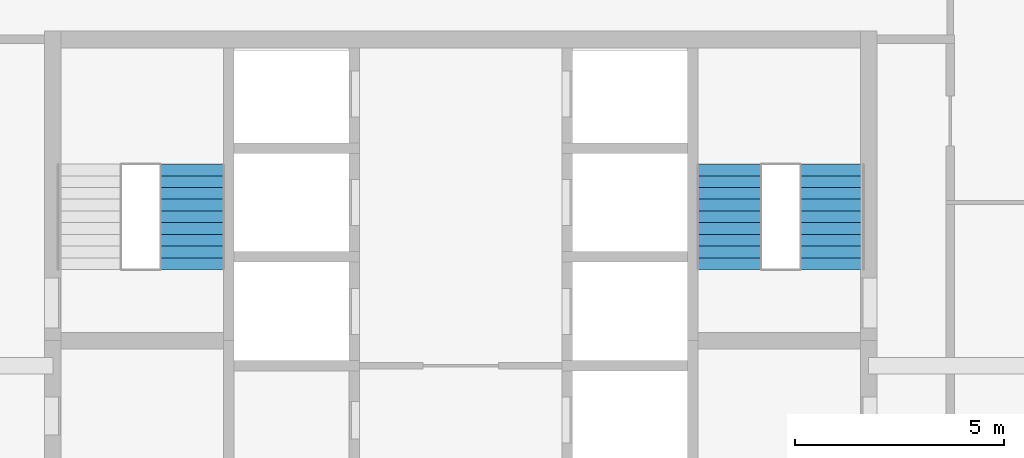
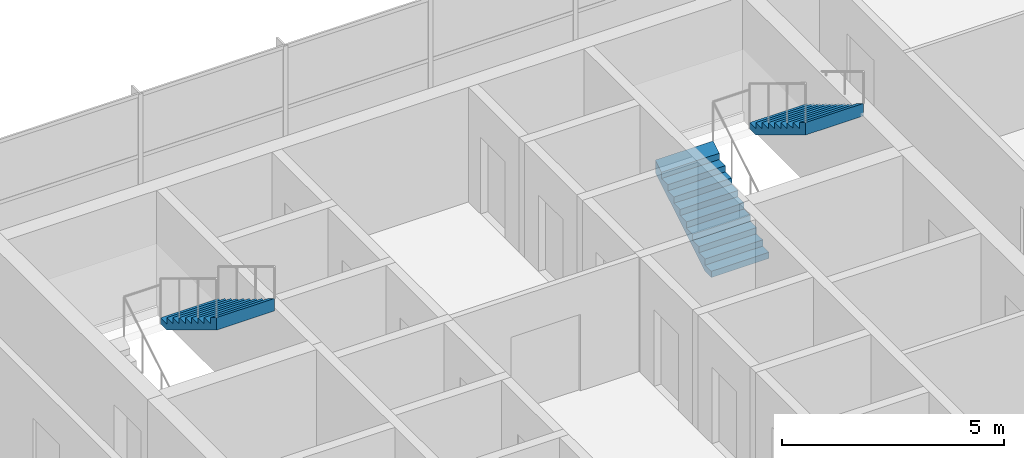
# One storey, part 18 of 22: 3 stair flights, 2 elements without a shape of their own.
"""IFC4 building model written with IfcOpenShell, lengths in metres."""

from ifc_helpers import new_model, si_unit, direction, frame, origin, place, context, subcontext, project, spatial, triangles, material, type_object, element, aggregate, save


model = new_model("IFC4")

# Units and contexts
model_context = context("Model", 3, precision=1e-05, world=origin(), true_north=direction((0.0, 1.0)))
body_context = subcontext(model_context, "Body", "Model", "MODEL_VIEW")
ifc_project = project(units=[si_unit("LENGTHUNIT", "METRE"), si_unit("AREAUNIT", "SQUARE_METRE"), si_unit("VOLUMEUNIT", "CUBIC_METRE"), si_unit("PLANEANGLEUNIT", "RADIAN"), si_unit("MASSUNIT", "GRAM", prefix="KILO")], contexts=[model_context])

# Site, building, storey
site_placement = place(None, origin())
site = spatial("IfcSite", under=ifc_project, at=site_placement, CompositionType="ELEMENT")
building_placement = place(site_placement, origin())
building = spatial("IfcBuilding", under=site, at=building_placement, Name="Ludao Terraces", CompositionType="ELEMENT")
storey_placement = place(building_placement, frame((0.0, 0.0, 200.699951171875)))
storey = spatial("IfcBuildingStorey", under=building, at=storey_placement, Name="L54", CompositionType="ELEMENT", Elevation=200.699951171875)

# Stair, stair flight
ifc_material = material(Name="Concrete C40", Category="concrete")
stair_type = type_object("IfcStairType", Name="INT Stair", PredefinedType="HALF_TURN_STAIR", material=ifc_material)
stair_1_placement = place(storey_placement, origin())
stair_1 = element("IfcStair", 1, at=stair_1_placement, inside=storey, type_object=stair_type, Name="EXIT STAIR 1", PredefinedType="HALF_TURN_STAIR")
stair_flight_type = type_object("IfcStairFlightType", Name="INT Stair flight", PredefinedType="STRAIGHT", material=ifc_material)
stair_flight_1_placement = place(storey_placement, frame((78.574951171875, 81.52001953125, 1.699951171875), z_axis=(0.0, 0.0, 1.0), x_axis=(0.0, -1.0, 0.0)))
stair_flight_1 = element("IfcStairFlight", 2, at=stair_flight_1_placement, type_object=stair_flight_type, Name="ST1 flight 2", NumberOfRisers=10, NumberOfTreads=9, PredefinedType="STRAIGHT", RiserHeight=0.17, TreadLength=0.28, context=body_context, shape_type="Tessellation", body=[
    triangles([(0.0, -0.75, 0.0), (0.0, -0.5, 0.0), (0.0, -0.25, 0.0), (0.0, 0.0, 0.0), (0.0, 0.25, 0.0), (0.0, 0.5, 0.0), (0.0, 0.75, 0.0), (0.0, -0.75, 0.169921875), (0.0, -0.5, 0.169921875), (0.0, -0.25, 0.169921875), (0.0, 0.0, 0.169921875), (0.0, 0.25, 0.169921875), (0.0, 0.5, 0.169921875), (0.0, 0.75, 0.169921875), (0.280029296875, -0.75, 0.169921875), (0.280029296875, -0.5, 0.169921875), (0.280029296875, -0.25, 0.169921875), (0.280029296875, 0.0, 0.169921875), (0.280029296875, 0.25, 0.169921875), (0.280029296875, 0.5, 0.169921875), (0.280029296875, 0.75, 0.169921875), (0.280029296875, -0.75, 0.340087890625), (0.280029296875, -0.5, 0.340087890625), (0.280029296875, -0.25, 0.340087890625), (0.280029296875, 0.0, 0.340087890625), (0.280029296875, 0.25, 0.340087890625), (0.280029296875, 0.5, 0.340087890625), (0.280029296875, 0.75, 0.340087890625), (0.56005859375, -0.75, 0.340087890625), (0.56005859375, -0.5, 0.340087890625), (0.56005859375, -0.25, 0.340087890625), (0.56005859375, 0.0, 0.340087890625), (0.56005859375, 0.25, 0.340087890625), (0.56005859375, 0.5, 0.340087890625), (0.56005859375, 0.75, 0.340087890625), (0.56005859375, -0.75, 0.510009765625), (0.56005859375, -0.5, 0.510009765625), (0.56005859375, -0.25, 0.510009765625), (0.56005859375, 0.0, 0.510009765625), (0.56005859375, 0.25, 0.510009765625), (0.56005859375, 0.5, 0.510009765625), (0.56005859375, 0.75, 0.510009765625), (0.840087890625, -0.75, 0.510009765625), (0.840087890625, -0.5, 0.510009765625), (0.840087890625, -0.25, 0.510009765625), (0.840087890625, 0.0, 0.510009765625), (0.840087890625, 0.25, 0.510009765625), (0.840087890625, 0.5, 0.510009765625), (0.840087890625, 0.75, 0.510009765625), (0.840087890625, -0.75, 0.679931640625), (0.840087890625, -0.5, 0.679931640625), (0.840087890625, -0.25, 0.679931640625), (0.840087890625, 0.0, 0.679931640625), (0.840087890625, 0.25, 0.679931640625), (0.840087890625, 0.5, 0.679931640625), (0.840087890625, 0.75, 0.679931640625), (1.1201171875, -0.75, 0.679931640625), (1.1201171875, -0.5, 0.679931640625), (1.1201171875, -0.25, 0.679931640625), (1.1201171875, 0.0, 0.679931640625), (1.1201171875, 0.25, 0.679931640625), (1.1201171875, 0.5, 0.679931640625), (1.1201171875, 0.75, 0.679931640625), (1.1201171875, -0.75, 0.85009765625), (1.1201171875, -0.5, 0.85009765625), (1.1201171875, -0.25, 0.85009765625), (1.1201171875, 0.0, 0.85009765625), (1.1201171875, 0.25, 0.85009765625), (1.1201171875, 0.5, 0.85009765625), (1.1201171875, 0.75, 0.85009765625), (1.39990234375, -0.75, 0.85009765625), (1.39990234375, -0.5, 0.85009765625), (1.39990234375, -0.25, 0.85009765625), (1.39990234375, 0.0, 0.85009765625), (1.39990234375, 0.25, 0.85009765625), (1.39990234375, 0.5, 0.85009765625), (1.39990234375, 0.75, 0.85009765625), (1.39990234375, -0.75, 1.02001953125), (1.39990234375, -0.5, 1.02001953125), (1.39990234375, -0.25, 1.02001953125), (1.39990234375, 0.0, 1.02001953125), (1.39990234375, 0.25, 1.02001953125), (1.39990234375, 0.5, 1.02001953125), (1.39990234375, 0.75, 1.02001953125), (1.679931640625, -0.75, 1.02001953125), (1.679931640625, -0.5, 1.02001953125), (1.679931640625, -0.25, 1.02001953125), (1.679931640625, 0.0, 1.02001953125), (1.679931640625, 0.25, 1.02001953125), (1.679931640625, 0.5, 1.02001953125), (1.679931640625, 0.75, 1.02001953125), (1.679931640625, -0.75, 1.18994140625), (1.679931640625, -0.5, 1.18994140625), (1.679931640625, -0.25, 1.18994140625), (1.679931640625, 0.0, 1.18994140625), (1.679931640625, 0.25, 1.18994140625), (1.679931640625, 0.5, 1.18994140625), (1.679931640625, 0.75, 1.18994140625), (1.9599609375, -0.75, 1.18994140625), (1.9599609375, -0.5, 1.18994140625), (1.9599609375, -0.25, 1.18994140625), (1.9599609375, 0.0, 1.18994140625), (1.9599609375, 0.25, 1.18994140625), (1.9599609375, 0.5, 1.18994140625), (1.9599609375, 0.75, 1.18994140625), (1.9599609375, -0.75, 1.360107421875), (1.9599609375, -0.5, 1.360107421875), (1.9599609375, -0.25, 1.360107421875), (1.9599609375, 0.0, 1.360107421875), (1.9599609375, 0.25, 1.360107421875), (1.9599609375, 0.5, 1.360107421875), (1.9599609375, 0.75, 1.360107421875), (2.239990234375, -0.75, 1.360107421875), (2.239990234375, -0.5, 1.360107421875), (2.239990234375, -0.25, 1.360107421875), (2.239990234375, 0.0, 1.360107421875), (2.239990234375, 0.25, 1.360107421875), (2.239990234375, 0.5, 1.360107421875), (2.239990234375, 0.75, 1.360107421875), (2.239990234375, -0.75, 1.530029296875), (2.239990234375, -0.5, 1.530029296875), (2.239990234375, -0.25, 1.530029296875), (2.239990234375, 0.0, 1.530029296875), (2.239990234375, 0.25, 1.530029296875), (2.239990234375, 0.5, 1.530029296875), (2.239990234375, 0.75, 1.530029296875), (2.52001953125, -0.75, 1.699951171875), (2.52001953125, -0.5, 1.699951171875), (2.52001953125, -0.25, 1.699951171875), (2.52001953125, 0.0, 1.699951171875), (2.52001953125, 0.25, 1.699951171875), (2.52001953125, 0.5, 1.699951171875), (2.52001953125, 0.75, 1.699951171875), (2.52001953125, -0.75, 1.354736328125), (2.52001953125, -0.5, 1.354736328125), (2.52001953125, -0.25, 1.354736328125), (2.52001953125, 0.0, 1.354736328125), (2.52001953125, 0.25, 1.354736328125), (2.52001953125, 0.5, 1.354736328125), (2.52001953125, 0.75, 1.354736328125), (0.288818359375, -0.75, 0.0), (0.288818359375, -0.5, 0.0), (0.288818359375, -0.25, 0.0), (0.288818359375, 0.0, 0.0), (0.288818359375, 0.25, 0.0), (0.288818359375, 0.5, 0.0), (0.288818359375, 0.75, 0.0)], [[1, 141, 134], [7, 140, 147], [134, 127, 120], [140, 126, 133], [134, 120, 113], [140, 119, 126], [134, 113, 106], [140, 112, 119], [134, 106, 99], [140, 105, 112], [99, 92, 85], [105, 91, 98], [134, 99, 85], [140, 91, 105], [85, 78, 71], [91, 77, 84], [134, 85, 71], [140, 77, 91], [71, 64, 57], [77, 63, 70], [134, 71, 57], [140, 63, 77], [57, 50, 43], [63, 49, 56], [134, 57, 43], [140, 49, 63], [43, 36, 29], [49, 35, 42], [134, 43, 29], [140, 35, 49], [29, 22, 15], [35, 21, 28], [134, 29, 15], [140, 21, 35], [1, 134, 15], [7, 21, 140], [15, 8, 1], [21, 7, 14], [1, 9, 2], [1, 8, 9], [2, 10, 3], [2, 9, 10], [3, 11, 4], [3, 10, 11], [4, 12, 5], [4, 11, 12], [5, 13, 6], [5, 12, 13], [6, 14, 7], [6, 13, 14], [8, 16, 9], [8, 15, 16], [9, 17, 10], [9, 16, 17], [10, 18, 11], [10, 17, 18], [11, 19, 12], [11, 18, 19], [12, 20, 13], [12, 19, 20], [13, 21, 14], [13, 20, 21], [15, 23, 16], [15, 22, 23], [16, 24, 17], [16, 23, 24], [17, 25, 18], [17, 24, 25], [18, 26, 19], [18, 25, 26], [19, 27, 20], [19, 26, 27], [20, 28, 21], [20, 27, 28], [22, 30, 23], [22, 29, 30], [23, 31, 24], [23, 30, 31], [24, 32, 25], [24, 31, 32], [25, 33, 26], [25, 32, 33], [26, 34, 27], [26, 33, 34], [27, 35, 28], [27, 34, 35], [29, 37, 30], [29, 36, 37], [30, 38, 31], [30, 37, 38], [31, 39, 32], [31, 38, 39], [32, 40, 33], [32, 39, 40], [33, 41, 34], [33, 40, 41], [34, 42, 35], [34, 41, 42], [36, 44, 37], [36, 43, 44], [37, 45, 38], [37, 44, 45], [38, 46, 39], [38, 45, 46], [39, 47, 40], [39, 46, 47], [40, 48, 41], [40, 47, 48], [41, 49, 42], [41, 48, 49], [43, 51, 44], [43, 50, 51], [44, 52, 45], [44, 51, 52], [45, 53, 46], [45, 52, 53], [46, 54, 47], [46, 53, 54], [47, 55, 48], [47, 54, 55], [48, 56, 49], [48, 55, 56], [50, 58, 51], [50, 57, 58], [51, 59, 52], [51, 58, 59], [52, 60, 53], [52, 59, 60], [53, 61, 54], [53, 60, 61], [54, 62, 55], [54, 61, 62], [55, 63, 56], [55, 62, 63], [57, 65, 58], [57, 64, 65], [58, 66, 59], [58, 65, 66], [59, 67, 60], [59, 66, 67], [60, 68, 61], [60, 67, 68], [61, 69, 62], [61, 68, 69], [62, 70, 63], [62, 69, 70], [64, 72, 65], [64, 71, 72], [65, 73, 66], [65, 72, 73], [66, 74, 67], [66, 73, 74], [67, 75, 68], [67, 74, 75], [68, 76, 69], [68, 75, 76], [69, 77, 70], [69, 76, 77], [71, 79, 72], [71, 78, 79], [72, 80, 73], [72, 79, 80], [73, 81, 74], [73, 80, 81], [74, 82, 75], [74, 81, 82], [75, 83, 76], [75, 82, 83], [76, 84, 77], [76, 83, 84], [78, 86, 79], [78, 85, 86], [79, 87, 80], [79, 86, 87], [80, 88, 81], [80, 87, 88], [81, 89, 82], [81, 88, 89], [82, 90, 83], [82, 89, 90], [83, 91, 84], [83, 90, 91], [85, 93, 86], [85, 92, 93], [86, 94, 87], [86, 93, 94], [87, 95, 88], [87, 94, 95], [88, 96, 89], [88, 95, 96], [89, 97, 90], [89, 96, 97], [90, 98, 91], [90, 97, 98], [92, 100, 93], [92, 99, 100], [93, 101, 94], [93, 100, 101], [94, 102, 95], [94, 101, 102], [95, 103, 96], [95, 102, 103], [96, 104, 97], [96, 103, 104], [97, 105, 98], [97, 104, 105], [99, 107, 100], [99, 106, 107], [100, 108, 101], [100, 107, 108], [101, 109, 102], [101, 108, 109], [102, 110, 103], [102, 109, 110], [103, 111, 104], [103, 110, 111], [104, 112, 105], [104, 111, 112], [106, 114, 107], [106, 113, 114], [107, 115, 108], [107, 114, 115], [108, 116, 109], [108, 115, 116], [109, 117, 110], [109, 116, 117], [110, 118, 111], [110, 117, 118], [111, 119, 112], [111, 118, 119], [113, 121, 114], [113, 120, 121], [114, 122, 115], [114, 121, 122], [115, 123, 116], [115, 122, 123], [116, 124, 117], [116, 123, 124], [117, 125, 118], [117, 124, 125], [118, 126, 119], [118, 125, 126], [120, 128, 121], [120, 127, 128], [121, 129, 122], [121, 128, 129], [122, 130, 123], [122, 129, 130], [123, 131, 124], [123, 130, 131], [124, 132, 125], [124, 131, 132], [125, 133, 126], [125, 132, 133], [127, 135, 128], [127, 134, 135], [128, 136, 129], [128, 135, 136], [129, 137, 130], [129, 136, 137], [130, 138, 131], [130, 137, 138], [131, 139, 132], [131, 138, 139], [132, 140, 133], [132, 139, 140], [134, 142, 135], [134, 141, 142], [135, 143, 136], [135, 142, 143], [136, 144, 137], [136, 143, 144], [137, 145, 138], [137, 144, 145], [138, 146, 139], [138, 145, 146], [139, 147, 140], [139, 146, 147], [141, 2, 142], [141, 1, 2], [142, 3, 143], [142, 2, 3], [143, 4, 144], [143, 3, 4], [144, 5, 145], [144, 4, 5], [145, 6, 146], [145, 5, 6], [146, 7, 147], [146, 6, 7]], closed=True),
])
aggregate(stair_1, [stair_flight_1])

# Stair, stair flights
stair_2_placement = place(storey_placement, origin())
stair_2 = element("IfcStair", 3, at=stair_2_placement, inside=storey, type_object=stair_type, Name="EXIT STAIR 2", PredefinedType="HALF_TURN_STAIR")
stair_flight_2_placement = place(storey_placement, frame((91.425048828125, 79.0, 0.0), z_axis=(0.0, 0.0, 1.0), x_axis=(0.0, 1.0, 0.0)))
stair_flight_2 = element("IfcStairFlight", 4, at=stair_flight_2_placement, type_object=stair_flight_type, Name="ST2 flight 1", NumberOfRisers=10, NumberOfTreads=9, PredefinedType="STRAIGHT", RiserHeight=0.17, TreadLength=0.28, context=body_context, shape_type="Tessellation", body=[
    triangles([(0.0, -0.75, 0.0), (0.0, -0.5, 0.0), (0.0, -0.25, 0.0), (0.0, 0.0, 0.0), (0.0, 0.25, 0.0), (0.0, 0.5, 0.0), (0.0, 0.75, 0.0), (0.0, -0.75, 0.169921875), (0.0, -0.5, 0.169921875), (0.0, -0.25, 0.169921875), (0.0, 0.0, 0.169921875), (0.0, 0.25, 0.169921875), (0.0, 0.5, 0.169921875), (0.0, 0.75, 0.169921875), (0.280029296875, -0.75, 0.169921875), (0.280029296875, -0.5, 0.169921875), (0.280029296875, -0.25, 0.169921875), (0.280029296875, 0.0, 0.169921875), (0.280029296875, 0.25, 0.169921875), (0.280029296875, 0.5, 0.169921875), (0.280029296875, 0.75, 0.169921875), (0.280029296875, -0.75, 0.340087890625), (0.280029296875, -0.5, 0.340087890625), (0.280029296875, -0.25, 0.340087890625), (0.280029296875, 0.0, 0.340087890625), (0.280029296875, 0.25, 0.340087890625), (0.280029296875, 0.5, 0.340087890625), (0.280029296875, 0.75, 0.340087890625), (0.56005859375, -0.75, 0.340087890625), (0.56005859375, -0.5, 0.340087890625), (0.56005859375, -0.25, 0.340087890625), (0.56005859375, 0.0, 0.340087890625), (0.56005859375, 0.25, 0.340087890625), (0.56005859375, 0.5, 0.340087890625), (0.56005859375, 0.75, 0.340087890625), (0.56005859375, -0.75, 0.510009765625), (0.56005859375, -0.5, 0.510009765625), (0.56005859375, -0.25, 0.510009765625), (0.56005859375, 0.0, 0.510009765625), (0.56005859375, 0.25, 0.510009765625), (0.56005859375, 0.5, 0.510009765625), (0.56005859375, 0.75, 0.510009765625), (0.840087890625, -0.75, 0.510009765625), (0.840087890625, -0.5, 0.510009765625), (0.840087890625, -0.25, 0.510009765625), (0.840087890625, 0.0, 0.510009765625), (0.840087890625, 0.25, 0.510009765625), (0.840087890625, 0.5, 0.510009765625), (0.840087890625, 0.75, 0.510009765625), (0.840087890625, -0.75, 0.679931640625), (0.840087890625, -0.5, 0.679931640625), (0.840087890625, -0.25, 0.679931640625), (0.840087890625, 0.0, 0.679931640625), (0.840087890625, 0.25, 0.679931640625), (0.840087890625, 0.5, 0.679931640625), (0.840087890625, 0.75, 0.679931640625), (1.1201171875, -0.75, 0.679931640625), (1.1201171875, -0.5, 0.679931640625), (1.1201171875, -0.25, 0.679931640625), (1.1201171875, 0.0, 0.679931640625), (1.1201171875, 0.25, 0.679931640625), (1.1201171875, 0.5, 0.679931640625), (1.1201171875, 0.75, 0.679931640625), (1.1201171875, -0.75, 0.85009765625), (1.1201171875, -0.5, 0.85009765625), (1.1201171875, -0.25, 0.85009765625), (1.1201171875, 0.0, 0.85009765625), (1.1201171875, 0.25, 0.85009765625), (1.1201171875, 0.5, 0.85009765625), (1.1201171875, 0.75, 0.85009765625), (1.39990234375, -0.75, 0.85009765625), (1.39990234375, -0.5, 0.85009765625), (1.39990234375, -0.25, 0.85009765625), (1.39990234375, 0.0, 0.85009765625), (1.39990234375, 0.25, 0.85009765625), (1.39990234375, 0.5, 0.85009765625), (1.39990234375, 0.75, 0.85009765625), (1.39990234375, -0.75, 1.02001953125), (1.39990234375, -0.5, 1.02001953125), (1.39990234375, -0.25, 1.02001953125), (1.39990234375, 0.0, 1.02001953125), (1.39990234375, 0.25, 1.02001953125), (1.39990234375, 0.5, 1.02001953125), (1.39990234375, 0.75, 1.02001953125), (1.679931640625, -0.75, 1.02001953125), (1.679931640625, -0.5, 1.02001953125), (1.679931640625, -0.25, 1.02001953125), (1.679931640625, 0.0, 1.02001953125), (1.679931640625, 0.25, 1.02001953125), (1.679931640625, 0.5, 1.02001953125), (1.679931640625, 0.75, 1.02001953125), (1.679931640625, -0.75, 1.18994140625), (1.679931640625, -0.5, 1.18994140625), (1.679931640625, -0.25, 1.18994140625), (1.679931640625, 0.0, 1.18994140625), (1.679931640625, 0.25, 1.18994140625), (1.679931640625, 0.5, 1.18994140625), (1.679931640625, 0.75, 1.18994140625), (1.9599609375, -0.75, 1.18994140625), (1.9599609375, -0.5, 1.18994140625), (1.9599609375, -0.25, 1.18994140625), (1.9599609375, 0.0, 1.18994140625), (1.9599609375, 0.25, 1.18994140625), (1.9599609375, 0.5, 1.18994140625), (1.9599609375, 0.75, 1.18994140625), (1.9599609375, -0.75, 1.360107421875), (1.9599609375, -0.5, 1.360107421875), (1.9599609375, -0.25, 1.360107421875), (1.9599609375, 0.0, 1.360107421875), (1.9599609375, 0.25, 1.360107421875), (1.9599609375, 0.5, 1.360107421875), (1.9599609375, 0.75, 1.360107421875), (2.239990234375, -0.75, 1.360107421875), (2.239990234375, -0.5, 1.360107421875), (2.239990234375, -0.25, 1.360107421875), (2.239990234375, 0.0, 1.360107421875), (2.239990234375, 0.25, 1.360107421875), (2.239990234375, 0.5, 1.360107421875), (2.239990234375, 0.75, 1.360107421875), (2.239990234375, -0.75, 1.530029296875), (2.239990234375, -0.5, 1.530029296875), (2.239990234375, -0.25, 1.530029296875), (2.239990234375, 0.0, 1.530029296875), (2.239990234375, 0.25, 1.530029296875), (2.239990234375, 0.5, 1.530029296875), (2.239990234375, 0.75, 1.530029296875), (2.52001953125, -0.75, 1.699951171875), (2.52001953125, -0.5, 1.699951171875), (2.52001953125, -0.25, 1.699951171875), (2.52001953125, 0.0, 1.699951171875), (2.52001953125, 0.25, 1.699951171875), (2.52001953125, 0.5, 1.699951171875), (2.52001953125, 0.75, 1.699951171875), (2.52001953125, -0.75, 1.354736328125), (2.52001953125, -0.5, 1.354736328125), (2.52001953125, -0.25, 1.354736328125), (2.52001953125, 0.0, 1.354736328125), (2.52001953125, 0.25, 1.354736328125), (2.52001953125, 0.5, 1.354736328125), (2.52001953125, 0.75, 1.354736328125), (0.288818359375, -0.75, 0.0), (0.288818359375, -0.5, 0.0), (0.288818359375, -0.25, 0.0), (0.288818359375, 0.0, 0.0), (0.288818359375, 0.25, 0.0), (0.288818359375, 0.5, 0.0), (0.288818359375, 0.75, 0.0)], [[1, 141, 134], [7, 140, 147], [134, 127, 120], [140, 126, 133], [134, 120, 113], [140, 119, 126], [134, 113, 106], [140, 112, 119], [134, 106, 99], [140, 105, 112], [99, 92, 85], [105, 91, 98], [134, 99, 85], [140, 91, 105], [85, 78, 71], [91, 77, 84], [134, 85, 71], [140, 77, 91], [71, 64, 57], [77, 63, 70], [134, 71, 57], [140, 63, 77], [57, 50, 43], [63, 49, 56], [134, 57, 43], [140, 49, 63], [43, 36, 29], [49, 35, 42], [134, 43, 29], [140, 35, 49], [29, 22, 15], [35, 21, 28], [134, 29, 15], [140, 21, 35], [1, 134, 15], [7, 21, 140], [15, 8, 1], [21, 7, 14], [1, 9, 2], [1, 8, 9], [2, 10, 3], [2, 9, 10], [3, 11, 4], [3, 10, 11], [4, 12, 5], [4, 11, 12], [5, 13, 6], [5, 12, 13], [6, 14, 7], [6, 13, 14], [8, 16, 9], [8, 15, 16], [9, 17, 10], [9, 16, 17], [10, 18, 11], [10, 17, 18], [11, 19, 12], [11, 18, 19], [12, 20, 13], [12, 19, 20], [13, 21, 14], [13, 20, 21], [15, 23, 16], [15, 22, 23], [16, 24, 17], [16, 23, 24], [17, 25, 18], [17, 24, 25], [18, 26, 19], [18, 25, 26], [19, 27, 20], [19, 26, 27], [20, 28, 21], [20, 27, 28], [22, 30, 23], [22, 29, 30], [23, 31, 24], [23, 30, 31], [24, 32, 25], [24, 31, 32], [25, 33, 26], [25, 32, 33], [26, 34, 27], [26, 33, 34], [27, 35, 28], [27, 34, 35], [29, 37, 30], [29, 36, 37], [30, 38, 31], [30, 37, 38], [31, 39, 32], [31, 38, 39], [32, 40, 33], [32, 39, 40], [33, 41, 34], [33, 40, 41], [34, 42, 35], [34, 41, 42], [36, 44, 37], [36, 43, 44], [37, 45, 38], [37, 44, 45], [38, 46, 39], [38, 45, 46], [39, 47, 40], [39, 46, 47], [40, 48, 41], [40, 47, 48], [41, 49, 42], [41, 48, 49], [43, 51, 44], [43, 50, 51], [44, 52, 45], [44, 51, 52], [45, 53, 46], [45, 52, 53], [46, 54, 47], [46, 53, 54], [47, 55, 48], [47, 54, 55], [48, 56, 49], [48, 55, 56], [50, 58, 51], [50, 57, 58], [51, 59, 52], [51, 58, 59], [52, 60, 53], [52, 59, 60], [53, 61, 54], [53, 60, 61], [54, 62, 55], [54, 61, 62], [55, 63, 56], [55, 62, 63], [57, 65, 58], [57, 64, 65], [58, 66, 59], [58, 65, 66], [59, 67, 60], [59, 66, 67], [60, 68, 61], [60, 67, 68], [61, 69, 62], [61, 68, 69], [62, 70, 63], [62, 69, 70], [64, 72, 65], [64, 71, 72], [65, 73, 66], [65, 72, 73], [66, 74, 67], [66, 73, 74], [67, 75, 68], [67, 74, 75], [68, 76, 69], [68, 75, 76], [69, 77, 70], [69, 76, 77], [71, 79, 72], [71, 78, 79], [72, 80, 73], [72, 79, 80], [73, 81, 74], [73, 80, 81], [74, 82, 75], [74, 81, 82], [75, 83, 76], [75, 82, 83], [76, 84, 77], [76, 83, 84], [78, 86, 79], [78, 85, 86], [79, 87, 80], [79, 86, 87], [80, 88, 81], [80, 87, 88], [81, 89, 82], [81, 88, 89], [82, 90, 83], [82, 89, 90], [83, 91, 84], [83, 90, 91], [85, 93, 86], [85, 92, 93], [86, 94, 87], [86, 93, 94], [87, 95, 88], [87, 94, 95], [88, 96, 89], [88, 95, 96], [89, 97, 90], [89, 96, 97], [90, 98, 91], [90, 97, 98], [92, 100, 93], [92, 99, 100], [93, 101, 94], [93, 100, 101], [94, 102, 95], [94, 101, 102], [95, 103, 96], [95, 102, 103], [96, 104, 97], [96, 103, 104], [97, 105, 98], [97, 104, 105], [99, 107, 100], [99, 106, 107], [100, 108, 101], [100, 107, 108], [101, 109, 102], [101, 108, 109], [102, 110, 103], [102, 109, 110], [103, 111, 104], [103, 110, 111], [104, 112, 105], [104, 111, 112], [106, 114, 107], [106, 113, 114], [107, 115, 108], [107, 114, 115], [108, 116, 109], [108, 115, 116], [109, 117, 110], [109, 116, 117], [110, 118, 111], [110, 117, 118], [111, 119, 112], [111, 118, 119], [113, 121, 114], [113, 120, 121], [114, 122, 115], [114, 121, 122], [115, 123, 116], [115, 122, 123], [116, 124, 117], [116, 123, 124], [117, 125, 118], [117, 124, 125], [118, 126, 119], [118, 125, 126], [120, 128, 121], [120, 127, 128], [121, 129, 122], [121, 128, 129], [122, 130, 123], [122, 129, 130], [123, 131, 124], [123, 130, 131], [124, 132, 125], [124, 131, 132], [125, 133, 126], [125, 132, 133], [127, 135, 128], [127, 134, 135], [128, 136, 129], [128, 135, 136], [129, 137, 130], [129, 136, 137], [130, 138, 131], [130, 137, 138], [131, 139, 132], [131, 138, 139], [132, 140, 133], [132, 139, 140], [134, 142, 135], [134, 141, 142], [135, 143, 136], [135, 142, 143], [136, 144, 137], [136, 143, 144], [137, 145, 138], [137, 144, 145], [138, 146, 139], [138, 145, 146], [139, 147, 140], [139, 146, 147], [141, 2, 142], [141, 1, 2], [142, 3, 143], [142, 2, 3], [143, 4, 144], [143, 3, 4], [144, 5, 145], [144, 4, 5], [145, 6, 146], [145, 5, 6], [146, 7, 147], [146, 6, 7]], closed=True),
])
stair_flight_3_placement = place(storey_placement, frame((93.875, 81.52001953125, 1.699951171875), z_axis=(0.0, 0.0, 1.0), x_axis=(0.0, -1.0, 0.0)))
stair_flight_3 = element("IfcStairFlight", 5, at=stair_flight_3_placement, type_object=stair_flight_type, Name="ST2 flight 2", NumberOfRisers=10, NumberOfTreads=9, PredefinedType="STRAIGHT", RiserHeight=0.17, TreadLength=0.28, context=body_context, shape_type="Tessellation", body=[
    triangles([(0.0, -0.75, 0.0), (0.0, -0.5, 0.0), (0.0, -0.25, 0.0), (0.0, 0.0, 0.0), (0.0, 0.25, 0.0), (0.0, 0.5, 0.0), (0.0, 0.75, 0.0), (0.0, -0.75, 0.169921875), (0.0, -0.5, 0.169921875), (0.0, -0.25, 0.169921875), (0.0, 0.0, 0.169921875), (0.0, 0.25, 0.169921875), (0.0, 0.5, 0.169921875), (0.0, 0.75, 0.169921875), (0.280029296875, -0.75, 0.169921875), (0.280029296875, -0.5, 0.169921875), (0.280029296875, -0.25, 0.169921875), (0.280029296875, 0.0, 0.169921875), (0.280029296875, 0.25, 0.169921875), (0.280029296875, 0.5, 0.169921875), (0.280029296875, 0.75, 0.169921875), (0.280029296875, -0.75, 0.340087890625), (0.280029296875, -0.5, 0.340087890625), (0.280029296875, -0.25, 0.340087890625), (0.280029296875, 0.0, 0.340087890625), (0.280029296875, 0.25, 0.340087890625), (0.280029296875, 0.5, 0.340087890625), (0.280029296875, 0.75, 0.340087890625), (0.56005859375, -0.75, 0.340087890625), (0.56005859375, -0.5, 0.340087890625), (0.56005859375, -0.25, 0.340087890625), (0.56005859375, 0.0, 0.340087890625), (0.56005859375, 0.25, 0.340087890625), (0.56005859375, 0.5, 0.340087890625), (0.56005859375, 0.75, 0.340087890625), (0.56005859375, -0.75, 0.510009765625), (0.56005859375, -0.5, 0.510009765625), (0.56005859375, -0.25, 0.510009765625), (0.56005859375, 0.0, 0.510009765625), (0.56005859375, 0.25, 0.510009765625), (0.56005859375, 0.5, 0.510009765625), (0.56005859375, 0.75, 0.510009765625), (0.840087890625, -0.75, 0.510009765625), (0.840087890625, -0.5, 0.510009765625), (0.840087890625, -0.25, 0.510009765625), (0.840087890625, 0.0, 0.510009765625), (0.840087890625, 0.25, 0.510009765625), (0.840087890625, 0.5, 0.510009765625), (0.840087890625, 0.75, 0.510009765625), (0.840087890625, -0.75, 0.679931640625), (0.840087890625, -0.5, 0.679931640625), (0.840087890625, -0.25, 0.679931640625), (0.840087890625, 0.0, 0.679931640625), (0.840087890625, 0.25, 0.679931640625), (0.840087890625, 0.5, 0.679931640625), (0.840087890625, 0.75, 0.679931640625), (1.1201171875, -0.75, 0.679931640625), (1.1201171875, -0.5, 0.679931640625), (1.1201171875, -0.25, 0.679931640625), (1.1201171875, 0.0, 0.679931640625), (1.1201171875, 0.25, 0.679931640625), (1.1201171875, 0.5, 0.679931640625), (1.1201171875, 0.75, 0.679931640625), (1.1201171875, -0.75, 0.85009765625), (1.1201171875, -0.5, 0.85009765625), (1.1201171875, -0.25, 0.85009765625), (1.1201171875, 0.0, 0.85009765625), (1.1201171875, 0.25, 0.85009765625), (1.1201171875, 0.5, 0.85009765625), (1.1201171875, 0.75, 0.85009765625), (1.39990234375, -0.75, 0.85009765625), (1.39990234375, -0.5, 0.85009765625), (1.39990234375, -0.25, 0.85009765625), (1.39990234375, 0.0, 0.85009765625), (1.39990234375, 0.25, 0.85009765625), (1.39990234375, 0.5, 0.85009765625), (1.39990234375, 0.75, 0.85009765625), (1.39990234375, -0.75, 1.02001953125), (1.39990234375, -0.5, 1.02001953125), (1.39990234375, -0.25, 1.02001953125), (1.39990234375, 0.0, 1.02001953125), (1.39990234375, 0.25, 1.02001953125), (1.39990234375, 0.5, 1.02001953125), (1.39990234375, 0.75, 1.02001953125), (1.679931640625, -0.75, 1.02001953125), (1.679931640625, -0.5, 1.02001953125), (1.679931640625, -0.25, 1.02001953125), (1.679931640625, 0.0, 1.02001953125), (1.679931640625, 0.25, 1.02001953125), (1.679931640625, 0.5, 1.02001953125), (1.679931640625, 0.75, 1.02001953125), (1.679931640625, -0.75, 1.18994140625), (1.679931640625, -0.5, 1.18994140625), (1.679931640625, -0.25, 1.18994140625), (1.679931640625, 0.0, 1.18994140625), (1.679931640625, 0.25, 1.18994140625), (1.679931640625, 0.5, 1.18994140625), (1.679931640625, 0.75, 1.18994140625), (1.9599609375, -0.75, 1.18994140625), (1.9599609375, -0.5, 1.18994140625), (1.9599609375, -0.25, 1.18994140625), (1.9599609375, 0.0, 1.18994140625), (1.9599609375, 0.25, 1.18994140625), (1.9599609375, 0.5, 1.18994140625), (1.9599609375, 0.75, 1.18994140625), (1.9599609375, -0.75, 1.360107421875), (1.9599609375, -0.5, 1.360107421875), (1.9599609375, -0.25, 1.360107421875), (1.9599609375, 0.0, 1.360107421875), (1.9599609375, 0.25, 1.360107421875), (1.9599609375, 0.5, 1.360107421875), (1.9599609375, 0.75, 1.360107421875), (2.239990234375, -0.75, 1.360107421875), (2.239990234375, -0.5, 1.360107421875), (2.239990234375, -0.25, 1.360107421875), (2.239990234375, 0.0, 1.360107421875), (2.239990234375, 0.25, 1.360107421875), (2.239990234375, 0.5, 1.360107421875), (2.239990234375, 0.75, 1.360107421875), (2.239990234375, -0.75, 1.530029296875), (2.239990234375, -0.5, 1.530029296875), (2.239990234375, -0.25, 1.530029296875), (2.239990234375, 0.0, 1.530029296875), (2.239990234375, 0.25, 1.530029296875), (2.239990234375, 0.5, 1.530029296875), (2.239990234375, 0.75, 1.530029296875), (2.52001953125, -0.75, 1.699951171875), (2.52001953125, -0.5, 1.699951171875), (2.52001953125, -0.25, 1.699951171875), (2.52001953125, 0.0, 1.699951171875), (2.52001953125, 0.25, 1.699951171875), (2.52001953125, 0.5, 1.699951171875), (2.52001953125, 0.75, 1.699951171875), (2.52001953125, -0.75, 1.354736328125), (2.52001953125, -0.5, 1.354736328125), (2.52001953125, -0.25, 1.354736328125), (2.52001953125, 0.0, 1.354736328125), (2.52001953125, 0.25, 1.354736328125), (2.52001953125, 0.5, 1.354736328125), (2.52001953125, 0.75, 1.354736328125), (0.288818359375, -0.75, 0.0), (0.288818359375, -0.5, 0.0), (0.288818359375, -0.25, 0.0), (0.288818359375, 0.0, 0.0), (0.288818359375, 0.25, 0.0), (0.288818359375, 0.5, 0.0), (0.288818359375, 0.75, 0.0)], [[1, 141, 134], [7, 140, 147], [134, 127, 120], [140, 126, 133], [134, 120, 113], [140, 119, 126], [134, 113, 106], [140, 112, 119], [134, 106, 99], [140, 105, 112], [99, 92, 85], [105, 91, 98], [134, 99, 85], [140, 91, 105], [85, 78, 71], [91, 77, 84], [134, 85, 71], [140, 77, 91], [71, 64, 57], [77, 63, 70], [134, 71, 57], [140, 63, 77], [57, 50, 43], [63, 49, 56], [134, 57, 43], [140, 49, 63], [43, 36, 29], [49, 35, 42], [134, 43, 29], [140, 35, 49], [29, 22, 15], [35, 21, 28], [134, 29, 15], [140, 21, 35], [1, 134, 15], [7, 21, 140], [15, 8, 1], [21, 7, 14], [1, 9, 2], [1, 8, 9], [2, 10, 3], [2, 9, 10], [3, 11, 4], [3, 10, 11], [4, 12, 5], [4, 11, 12], [5, 13, 6], [5, 12, 13], [6, 14, 7], [6, 13, 14], [8, 16, 9], [8, 15, 16], [9, 17, 10], [9, 16, 17], [10, 18, 11], [10, 17, 18], [11, 19, 12], [11, 18, 19], [12, 20, 13], [12, 19, 20], [13, 21, 14], [13, 20, 21], [15, 23, 16], [15, 22, 23], [16, 24, 17], [16, 23, 24], [17, 25, 18], [17, 24, 25], [18, 26, 19], [18, 25, 26], [19, 27, 20], [19, 26, 27], [20, 28, 21], [20, 27, 28], [22, 30, 23], [22, 29, 30], [23, 31, 24], [23, 30, 31], [24, 32, 25], [24, 31, 32], [25, 33, 26], [25, 32, 33], [26, 34, 27], [26, 33, 34], [27, 35, 28], [27, 34, 35], [29, 37, 30], [29, 36, 37], [30, 38, 31], [30, 37, 38], [31, 39, 32], [31, 38, 39], [32, 40, 33], [32, 39, 40], [33, 41, 34], [33, 40, 41], [34, 42, 35], [34, 41, 42], [36, 44, 37], [36, 43, 44], [37, 45, 38], [37, 44, 45], [38, 46, 39], [38, 45, 46], [39, 47, 40], [39, 46, 47], [40, 48, 41], [40, 47, 48], [41, 49, 42], [41, 48, 49], [43, 51, 44], [43, 50, 51], [44, 52, 45], [44, 51, 52], [45, 53, 46], [45, 52, 53], [46, 54, 47], [46, 53, 54], [47, 55, 48], [47, 54, 55], [48, 56, 49], [48, 55, 56], [50, 58, 51], [50, 57, 58], [51, 59, 52], [51, 58, 59], [52, 60, 53], [52, 59, 60], [53, 61, 54], [53, 60, 61], [54, 62, 55], [54, 61, 62], [55, 63, 56], [55, 62, 63], [57, 65, 58], [57, 64, 65], [58, 66, 59], [58, 65, 66], [59, 67, 60], [59, 66, 67], [60, 68, 61], [60, 67, 68], [61, 69, 62], [61, 68, 69], [62, 70, 63], [62, 69, 70], [64, 72, 65], [64, 71, 72], [65, 73, 66], [65, 72, 73], [66, 74, 67], [66, 73, 74], [67, 75, 68], [67, 74, 75], [68, 76, 69], [68, 75, 76], [69, 77, 70], [69, 76, 77], [71, 79, 72], [71, 78, 79], [72, 80, 73], [72, 79, 80], [73, 81, 74], [73, 80, 81], [74, 82, 75], [74, 81, 82], [75, 83, 76], [75, 82, 83], [76, 84, 77], [76, 83, 84], [78, 86, 79], [78, 85, 86], [79, 87, 80], [79, 86, 87], [80, 88, 81], [80, 87, 88], [81, 89, 82], [81, 88, 89], [82, 90, 83], [82, 89, 90], [83, 91, 84], [83, 90, 91], [85, 93, 86], [85, 92, 93], [86, 94, 87], [86, 93, 94], [87, 95, 88], [87, 94, 95], [88, 96, 89], [88, 95, 96], [89, 97, 90], [89, 96, 97], [90, 98, 91], [90, 97, 98], [92, 100, 93], [92, 99, 100], [93, 101, 94], [93, 100, 101], [94, 102, 95], [94, 101, 102], [95, 103, 96], [95, 102, 103], [96, 104, 97], [96, 103, 104], [97, 105, 98], [97, 104, 105], [99, 107, 100], [99, 106, 107], [100, 108, 101], [100, 107, 108], [101, 109, 102], [101, 108, 109], [102, 110, 103], [102, 109, 110], [103, 111, 104], [103, 110, 111], [104, 112, 105], [104, 111, 112], [106, 114, 107], [106, 113, 114], [107, 115, 108], [107, 114, 115], [108, 116, 109], [108, 115, 116], [109, 117, 110], [109, 116, 117], [110, 118, 111], [110, 117, 118], [111, 119, 112], [111, 118, 119], [113, 121, 114], [113, 120, 121], [114, 122, 115], [114, 121, 122], [115, 123, 116], [115, 122, 123], [116, 124, 117], [116, 123, 124], [117, 125, 118], [117, 124, 125], [118, 126, 119], [118, 125, 126], [120, 128, 121], [120, 127, 128], [121, 129, 122], [121, 128, 129], [122, 130, 123], [122, 129, 130], [123, 131, 124], [123, 130, 131], [124, 132, 125], [124, 131, 132], [125, 133, 126], [125, 132, 133], [127, 135, 128], [127, 134, 135], [128, 136, 129], [128, 135, 136], [129, 137, 130], [129, 136, 137], [130, 138, 131], [130, 137, 138], [131, 139, 132], [131, 138, 139], [132, 140, 133], [132, 139, 140], [134, 142, 135], [134, 141, 142], [135, 143, 136], [135, 142, 143], [136, 144, 137], [136, 143, 144], [137, 145, 138], [137, 144, 145], [138, 146, 139], [138, 145, 146], [139, 147, 140], [139, 146, 147], [141, 2, 142], [141, 1, 2], [142, 3, 143], [142, 2, 3], [143, 4, 144], [143, 3, 4], [144, 5, 145], [144, 4, 5], [145, 6, 146], [145, 5, 6], [146, 7, 147], [146, 6, 7]], closed=True),
])
aggregate(stair_2, [stair_flight_2, stair_flight_3])

save(model, "model.ifc")
